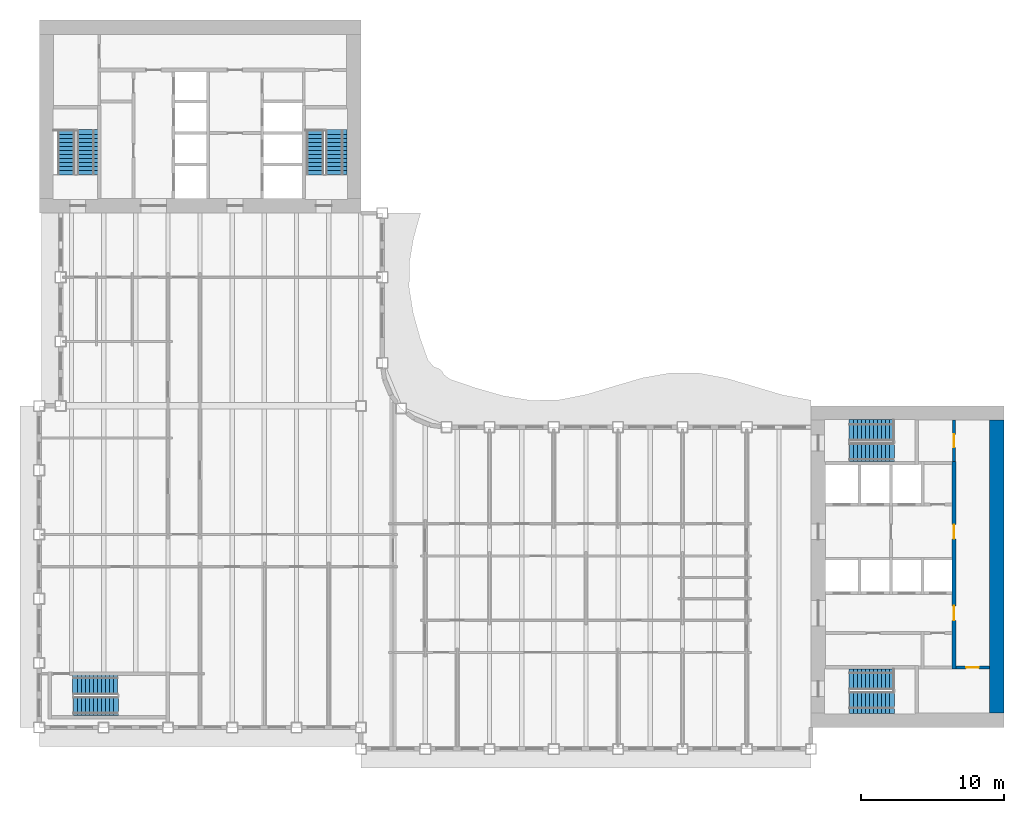
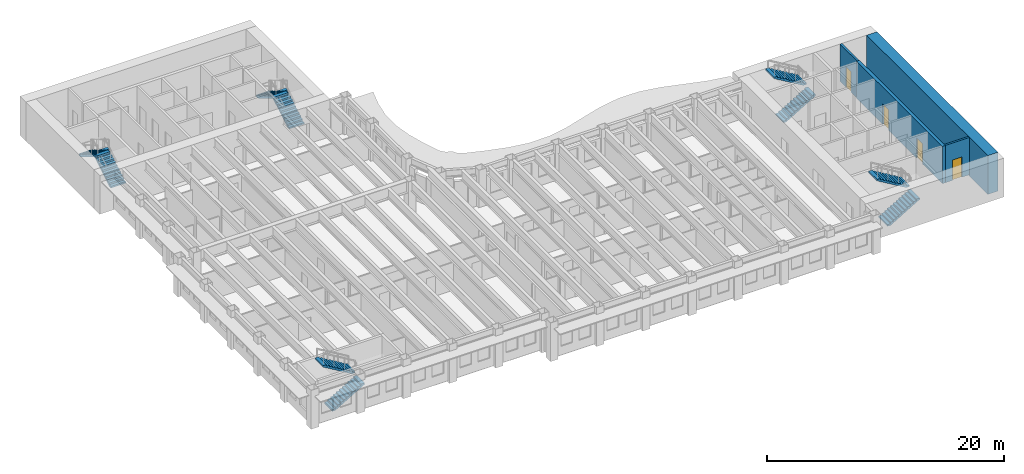
# One storey, part 10 of 16: 10 stair flights, 4 doors, 4 walls, 4 openings, 5 elements without a shape of their own.
"""IFC4 building model written with IfcOpenShell, lengths in metres."""

from ifc_helpers import new_model, si_unit, direction, frame, frame_2d, origin, place, context, subcontext, project, spatial, polyline, rectangle, outline, extrude, material, layer, layer_set, type_object, element, fill, aggregate, save


model = new_model("IFC4")

# Units and contexts
model_context = context("Model", 3, precision=1e-05, world=origin(), true_north=direction((0.0, 1.0)))
body_context = subcontext(model_context, "Body", "Model", "MODEL_VIEW")
ifc_project = project(units=[si_unit("LENGTHUNIT", "METRE"), si_unit("AREAUNIT", "SQUARE_METRE"), si_unit("VOLUMEUNIT", "CUBIC_METRE"), si_unit("PLANEANGLEUNIT", "RADIAN"), si_unit("MASSUNIT", "GRAM", prefix="KILO")], contexts=[model_context])

# Site, building, storey
site_placement = place(None, origin())
site = spatial("IfcSite", under=ifc_project, at=site_placement, CompositionType="ELEMENT")
building_placement = place(site_placement, origin())
building = spatial("IfcBuilding", under=site, at=building_placement, Name="Sennacour Bend Tower", CompositionType="ELEMENT")
storey_placement = place(building_placement, frame((0.0, 0.0, 235.0)))
storey = spatial("IfcBuildingStorey", under=building, at=storey_placement, Name="L54", CompositionType="ELEMENT", Elevation=235.0)

# Wall
ifc_material_1 = material(Name="Concrete C60/75", Category="concrete")
ifc_layer_1 = layer(ifc_material_1, 1.0, Name="Concrete C60/75", Category="concrete")
ifc_layer_set_1 = layer_set([ifc_layer_1], Name="Concrete C60/75")
wall_type_1 = type_object("IfcWallType", Name="Core wall 1000 C60/75", PredefinedType="SHEAR", material=ifc_layer_set_1)
wall_1_placement = place(storey_placement, frame((67.0, 1.0, -0.14990234375), z_axis=(0.0, 0.0, 1.0), x_axis=(0.0, 1.0, 0.0)))
element("IfcWall", 1, at=wall_1_placement, inside=storey, type_object=wall_type_1, Name="Core A wall L54 E", PredefinedType="SHEAR", context=body_context, shape_type="SweptSolid", body=[
    extrude(rectangle(XDim=20.5, YDim=1.0, at=frame_2d((10.25, 0.0))), origin(), (0.0, 0.0, 1.0), 4.0),
])

# Wall, opening, door
ifc_material_2 = material(Name="Fire-rated plasterboard partition on steel studs", Category="steel")
ifc_layer_2 = layer(ifc_material_2, 0.199951171875, Name="Fire-rated plasterboard partition on steel studs", Category="steel")
ifc_layer_set_2 = layer_set([ifc_layer_2], Name="Fire-rated plasterboard partition on steel studs")
wall_type_2 = type_object("IfcWallType", Name="Rated partition 200", PredefinedType="PARTITIONING", material=ifc_layer_set_2)
wall_2_placement = place(storey_placement, frame((64.0, 18.60009765625, 0.0), z_axis=(0.0, 0.0, 1.0), x_axis=(0.0, 1.0, 0.0)))
wall_2 = element("IfcWall", 2, at=wall_2_placement, inside=storey, type_object=wall_type_2, Name="P-L54-W048", PredefinedType="PARTITIONING", context=body_context, shape_type="SweptSolid", body=[
    extrude(rectangle(XDim=2.89990234375, YDim=0.199951171875, at=frame_2d((1.449951171875, 0.0))), origin(), (0.0, 0.0, 1.0), 3.85009765625),
])
opening_1_placement = place(wall_2_placement, frame((1.0, 0.0, 0.0)))
opening_1 = element("IfcOpeningElement", 3, at=opening_1_placement, cuts=wall_2, Name="Opening SV", PredefinedType="OPENING", context=body_context, shape_type="SweptSolid", body=[
    extrude(rectangle(XDim=0.89990234375, YDim=2.10009765625, at=frame_2d((0.449951171875, 1.050048828125))), frame((0.0, 0.10986328125, 0.0), z_axis=(0.0, -1.0, 0.0), x_axis=(1.0, 0.0, 0.0)), (0.0, 0.0, 1.0), 0.219970703125),
])
ifc_material_3 = material(Name="Painted steel", Category="steel")
door_type_1 = type_object("IfcDoorType", Name="DR-SERVICE-900", OperationType="NOTDEFINED", PredefinedType="DOOR", material=ifc_material_3)
door_1_placement = place(opening_1_placement, origin())
door_1 = element("IfcDoor", 4, at=door_1_placement, inside=storey, type_object=door_type_1, Name="Door", OperationType="SINGLE_SWING_LEFT", OverallHeight=2.10009765625, OverallWidth=0.89990234375, PredefinedType="DOOR", context=body_context, shape_type="SweptSolid", body=[
    extrude(rectangle(XDim=0.89990234375, YDim=2.10009765625, at=frame_2d((0.449951171875, 1.050048828125))), frame((0.0, 0.02490234375, 0.0), z_axis=(0.0, -1.0, 0.0), x_axis=(1.0, 0.0, 0.0)), (0.0, 0.0, 1.0), 0.050048828125),
])
fill(opening_1, door_1)

wall_3_placement = place(storey_placement, frame((64.14990234375, 4.199951171875, 0.0), z_axis=(0.0, 0.0, 1.0), x_axis=(1.0, 0.0, 0.0)))
wall_3 = element("IfcWall", 5, at=wall_3_placement, inside=storey, type_object=wall_type_2, Name="P-L54-W055c", PredefinedType="PARTITIONING", context=body_context, shape_type="SweptSolid", body=[
    extrude(rectangle(XDim=2.35009765625, YDim=0.199951171875, at=frame_2d((1.175048828125, 0.0))), origin(), (0.0, 0.0, 1.0), 3.85009765625),
])
opening_2_placement = place(wall_3_placement, frame((0.7001953125, 0.0, 0.0)))
opening_2 = element("IfcOpeningElement", 6, at=opening_2_placement, cuts=wall_3, Name="Opening SV", PredefinedType="OPENING", context=body_context, shape_type="SweptSolid", body=[
    extrude(rectangle(XDim=0.89990234375, YDim=2.10009765625, at=frame_2d((0.449951171875, 1.050048828125))), frame((0.0, 0.10986328125, 0.0), z_axis=(0.0, -1.0, 0.0), x_axis=(1.0, 0.0, 0.0)), (0.0, 0.0, 1.0), 0.219970703125),
])
door_2_placement = place(opening_2_placement, origin())
door_2 = element("IfcDoor", 7, at=door_2_placement, inside=storey, type_object=door_type_1, Name="Door", OperationType="SINGLE_SWING_LEFT", OverallHeight=2.10009765625, OverallWidth=0.89990234375, PredefinedType="DOOR", context=body_context, shape_type="SweptSolid", body=[
    extrude(rectangle(XDim=0.89990234375, YDim=2.10009765625, at=frame_2d((0.449951171875, 1.050048828125))), frame((0.0, 0.02490234375, 0.0), z_axis=(0.0, -1.0, 0.0), x_axis=(1.0, 0.0, 0.0)), (0.0, 0.0, 1.0), 0.050048828125),
])
fill(opening_2, door_2)

# Wall, openings, doors
ifc_layer_3 = layer(ifc_material_1, 0.300048828125, Name="Concrete C60/75", Category="concrete")
ifc_layer_set_3 = layer_set([ifc_layer_3], Name="Concrete C60/75")
wall_type_3 = type_object("IfcWallType", Name="Spine wall 300", PredefinedType="SHEAR", material=ifc_layer_set_3)
wall_4_placement = place(storey_placement, frame((64.0, 4.10009765625, 0.0), z_axis=(0.0, 0.0, 1.0), x_axis=(0.0, 1.0, 0.0)))
wall_4 = element("IfcWall", 8, at=wall_4_placement, inside=storey, type_object=wall_type_3, Name="P-L54-W047", PredefinedType="SHEAR", context=body_context, shape_type="SweptSolid", body=[
    extrude(rectangle(XDim=14.5, YDim=0.300048828125, at=frame_2d((7.25, 0.0))), origin(), (0.0, 0.0, 1.0), 3.85009765625),
])
opening_3_placement = place(wall_4_placement, frame((3.39990234375, 0.0, 0.0)))
opening_3 = element("IfcOpeningElement", 9, at=opening_3_placement, cuts=wall_4, Name="Opening CD2", PredefinedType="OPENING", context=body_context, shape_type="SweptSolid", body=[
    extrude(rectangle(XDim=1.0, YDim=2.10009765625, at=frame_2d((0.5, 1.050048828125))), frame((0.0, 0.16015625, 0.0), z_axis=(0.0, -1.0, 0.0), x_axis=(1.0, 0.0, 0.0)), (0.0, 0.0, 1.0), 0.320068359375),
])
opening_4_placement = place(wall_4_placement, frame((9.099853515625, 0.0, 0.0)))
opening_4 = element("IfcOpeningElement", 10, at=opening_4_placement, cuts=wall_4, Name="Opening CD2", PredefinedType="OPENING", context=body_context, shape_type="SweptSolid", body=[
    extrude(rectangle(XDim=1.0, YDim=2.10009765625, at=frame_2d((0.5, 1.050048828125))), frame((0.0, 0.16015625, 0.0), z_axis=(0.0, -1.0, 0.0), x_axis=(1.0, 0.0, 0.0)), (0.0, 0.0, 1.0), 0.320068359375),
])
door_type_2 = type_object("IfcDoorType", Name="DR-LOBBY-1000", OperationType="NOTDEFINED", PredefinedType="DOOR", material=ifc_material_3)
door_3_placement = place(opening_3_placement, origin())
door_3 = element("IfcDoor", 11, at=door_3_placement, inside=storey, type_object=door_type_2, Name="Door", OperationType="SINGLE_SWING_LEFT", OverallHeight=2.10009765625, OverallWidth=1.0, PredefinedType="DOOR", context=body_context, shape_type="SweptSolid", body=[
    extrude(rectangle(XDim=1.0, YDim=2.10009765625, at=frame_2d((0.5, 1.050048828125))), frame((0.0, 0.02490234375, 0.0), z_axis=(0.0, -1.0, 0.0), x_axis=(1.0, 0.0, 0.0)), (0.0, 0.0, 1.0), 0.050048828125),
])
fill(opening_3, door_3)
door_4_placement = place(opening_4_placement, origin())
door_4 = element("IfcDoor", 12, at=door_4_placement, inside=storey, type_object=door_type_2, Name="Door", OperationType="SINGLE_SWING_RIGHT", OverallHeight=2.10009765625, OverallWidth=1.0, PredefinedType="DOOR", context=body_context, shape_type="SweptSolid", body=[
    extrude(rectangle(XDim=1.0, YDim=2.10009765625, at=frame_2d((0.5, 1.050048828125))), frame((0.0, 0.02490234375, 0.0), z_axis=(0.0, -1.0, 0.0), x_axis=(1.0, 0.0, 0.0)), (0.0, 0.0, 1.0), 0.050048828125),
])
fill(opening_4, door_4)

# Stair, stair flights
ifc_material_4 = material(Name="Concrete C40/50", Category="concrete")
stair_type = type_object("IfcStairType", Name="ST-DOGLEG", PredefinedType="HALF_TURN_STAIR", material=ifc_material_4)
stair_1_placement = place(storey_placement, origin())
stair_1 = element("IfcStair", 13, at=stair_1_placement, inside=storey, type_object=stair_type, Name="L54 Exit stair A1", PredefinedType="HALF_TURN_STAIR")
stair_flight_type = type_object("IfcStairFlightType", Name="SFL-RC", PredefinedType="STRAIGHT", material=ifc_material_4)
stair_flight_1_placement = place(storey_placement, frame((56.699951171875, 1.735107421875, 0.0), z_axis=(0.0, 0.0, 1.0), x_axis=(1.0, 0.0, 0.0)))
stair_flight_1 = element("IfcStairFlight", 14, at=stair_flight_1_placement, type_object=stair_flight_type, Name="SA1 flight 1", NumberOfRisers=12, NumberOfTreads=11, PredefinedType="STRAIGHT", RiserHeight=0.166666667, TreadLength=0.28, context=body_context, shape_type="SweptSolid", body=[
    extrude(outline(polyline([(0.0, 0.0), (0.0, 0.166748046875), (0.280029296875, 0.166748046875), (0.280029296875, 0.333251953125), (0.56005859375, 0.333251953125), (0.56005859375, 0.5), (0.840087890625, 0.5), (0.840087890625, 0.666748046875), (1.1201171875, 0.666748046875), (1.1201171875, 0.833251953125), (1.39990234375, 0.833251953125), (1.39990234375, 1.0), (1.679931640625, 1.0), (1.679931640625, 1.166748046875), (1.9599609375, 1.166748046875), (1.9599609375, 1.333251953125), (2.239990234375, 1.333251953125), (2.239990234375, 1.5), (2.52001953125, 1.5), (2.52001953125, 1.666748046875), (2.800048828125, 1.666748046875), (2.800048828125, 1.833251953125), (3.080078125, 1.833251953125), (3.139892578125, 1.833251953125), (3.139892578125, 1.658935546875), (3.080078125, 1.658935546875), (0.29296875, 0.0), (0.0, 0.0)])), frame((0.0, 0.76513671875, 0.0), z_axis=(0.0, -1.0, 0.0), x_axis=(1.0, 0.0, 0.0)), (0.0, 0.0, 1.0), 1.530029296875),
])
stair_flight_2_placement = place(storey_placement, frame((59.780029296875, 3.37744140625, 2.0), z_axis=(0.0, 0.0, 1.0), x_axis=(-1.0, 0.0, 0.0)))
stair_flight_2 = element("IfcStairFlight", 15, at=stair_flight_2_placement, type_object=stair_flight_type, Name="SA1 flight 2", NumberOfRisers=12, NumberOfTreads=11, PredefinedType="STRAIGHT", RiserHeight=0.166666667, TreadLength=0.28, context=body_context, shape_type="SweptSolid", body=[
    extrude(outline(polyline([(0.0, 0.0), (0.0, 0.166748046875), (0.280029296875, 0.166748046875), (0.280029296875, 0.333251953125), (0.56005859375, 0.333251953125), (0.56005859375, 0.5), (0.840087890625, 0.5), (0.840087890625, 0.666748046875), (1.1201171875, 0.666748046875), (1.1201171875, 0.833251953125), (1.39990234375, 0.833251953125), (1.39990234375, 1.0), (1.679931640625, 1.0), (1.679931640625, 1.166748046875), (1.9599609375, 1.166748046875), (1.9599609375, 1.333251953125), (2.239990234375, 1.333251953125), (2.239990234375, 1.5), (2.52001953125, 1.5), (2.52001953125, 1.666748046875), (2.800048828125, 1.666748046875), (2.800048828125, 1.833251953125), (3.080078125, 1.833251953125), (3.139892578125, 1.833251953125), (3.139892578125, 1.658935546875), (3.080078125, 1.658935546875), (0.29296875, 0.0), (0.0, 0.0)])), frame((0.0, 0.7275390625, 0.0), z_axis=(0.0, -1.0, 0.0), x_axis=(1.0, 0.0, 0.0)), (0.0, 0.0, 1.0), 1.455078125),
])
aggregate(stair_1, [stair_flight_1, stair_flight_2])

stair_2_placement = place(storey_placement, origin())
stair_2 = element("IfcStair", 16, at=stair_2_placement, inside=storey, type_object=stair_type, Name="L54 Exit stair A2", PredefinedType="HALF_TURN_STAIR")
stair_flight_3_placement = place(storey_placement, frame((56.699951171875, 19.24755859375, 0.0), z_axis=(0.0, 0.0, 1.0), x_axis=(1.0, 0.0, 0.0)))
stair_flight_3 = element("IfcStairFlight", 17, at=stair_flight_3_placement, type_object=stair_flight_type, Name="SA2 flight 1", NumberOfRisers=12, NumberOfTreads=11, PredefinedType="STRAIGHT", RiserHeight=0.166666667, TreadLength=0.28, context=body_context, shape_type="SweptSolid", body=[
    extrude(outline(polyline([(0.0, 0.0), (0.0, 0.166748046875), (0.280029296875, 0.166748046875), (0.280029296875, 0.333251953125), (0.56005859375, 0.333251953125), (0.56005859375, 0.5), (0.840087890625, 0.5), (0.840087890625, 0.666748046875), (1.1201171875, 0.666748046875), (1.1201171875, 0.833251953125), (1.39990234375, 0.833251953125), (1.39990234375, 1.0), (1.679931640625, 1.0), (1.679931640625, 1.166748046875), (1.9599609375, 1.166748046875), (1.9599609375, 1.333251953125), (2.239990234375, 1.333251953125), (2.239990234375, 1.5), (2.52001953125, 1.5), (2.52001953125, 1.666748046875), (2.800048828125, 1.666748046875), (2.800048828125, 1.833251953125), (3.080078125, 1.833251953125), (3.139892578125, 1.833251953125), (3.139892578125, 1.658935546875), (3.080078125, 1.658935546875), (0.29296875, 0.0), (0.0, 0.0)])), frame((0.0, 0.65234375, 0.0), z_axis=(0.0, -1.0, 0.0), x_axis=(1.0, 0.0, 0.0)), (0.0, 0.0, 1.0), 1.304931640625),
])
stair_flight_4_placement = place(storey_placement, frame((59.780029296875, 20.7900390625, 2.0), z_axis=(0.0, 0.0, 1.0), x_axis=(-1.0, 0.0, 0.0)))
stair_flight_4 = element("IfcStairFlight", 18, at=stair_flight_4_placement, type_object=stair_flight_type, Name="SA2 flight 2", NumberOfRisers=12, NumberOfTreads=11, PredefinedType="STRAIGHT", RiserHeight=0.166666667, TreadLength=0.28, context=body_context, shape_type="SweptSolid", body=[
    extrude(outline(polyline([(0.0, 0.0), (0.0, 0.166748046875), (0.280029296875, 0.166748046875), (0.280029296875, 0.333251953125), (0.56005859375, 0.333251953125), (0.56005859375, 0.5), (0.840087890625, 0.5), (0.840087890625, 0.666748046875), (1.1201171875, 0.666748046875), (1.1201171875, 0.833251953125), (1.39990234375, 0.833251953125), (1.39990234375, 1.0), (1.679931640625, 1.0), (1.679931640625, 1.166748046875), (1.9599609375, 1.166748046875), (1.9599609375, 1.333251953125), (2.239990234375, 1.333251953125), (2.239990234375, 1.5), (2.52001953125, 1.5), (2.52001953125, 1.666748046875), (2.800048828125, 1.666748046875), (2.800048828125, 1.833251953125), (3.080078125, 1.833251953125), (3.139892578125, 1.833251953125), (3.139892578125, 1.658935546875), (3.080078125, 1.658935546875), (0.29296875, 0.0), (0.0, 0.0)])), frame((0.0, 0.739990234375, 0.0), z_axis=(0.0, -1.0, 0.0), x_axis=(1.0, 0.0, 0.0)), (0.0, 0.0, 1.0), 1.47998046875),
])
aggregate(stair_2, [stair_flight_3, stair_flight_4])

stair_3_placement = place(storey_placement, origin())
stair_3 = element("IfcStair", 19, at=stair_3_placement, inside=storey, type_object=stair_type, Name="L54 Exit stair B1", PredefinedType="HALF_TURN_STAIR")
stair_flight_5_placement = place(storey_placement, frame((3.37744140625, 38.699951171875, 0.0), z_axis=(0.0, 0.0, 1.0), x_axis=(0.0, 1.0, 0.0)))
stair_flight_5 = element("IfcStairFlight", 20, at=stair_flight_5_placement, type_object=stair_flight_type, Name="SB1 flight 1", NumberOfRisers=12, NumberOfTreads=11, PredefinedType="STRAIGHT", RiserHeight=0.166666667, TreadLength=0.28, context=body_context, shape_type="SweptSolid", body=[
    extrude(outline(polyline([(0.0, 0.0), (0.0, 0.166748046875), (0.280029296875, 0.166748046875), (0.280029296875, 0.333251953125), (0.56005859375, 0.333251953125), (0.56005859375, 0.5), (0.840087890625, 0.5), (0.840087890625, 0.666748046875), (1.1201171875, 0.666748046875), (1.1201171875, 0.833251953125), (1.39990234375, 0.833251953125), (1.39990234375, 1.0), (1.679931640625, 1.0), (1.679931640625, 1.166748046875), (1.9599609375, 1.166748046875), (1.9599609375, 1.333251953125), (2.239990234375, 1.333251953125), (2.239990234375, 1.5), (2.52001953125, 1.5), (2.52001953125, 1.666748046875), (2.800048828125, 1.666748046875), (2.800048828125, 1.833251953125), (3.080078125, 1.833251953125), (3.139892578125, 1.833251953125), (3.139892578125, 1.658935546875), (3.080078125, 1.658935546875), (0.29296875, 0.0), (0.0, 0.0)])), frame((0.0, 0.7275390625, 0.0), z_axis=(0.0, -1.0, 0.0), x_axis=(1.0, 0.0, 0.0)), (0.0, 0.0, 1.0), 1.455078125),
])
stair_flight_6_placement = place(storey_placement, frame((1.89990234375, 41.780029296875, 2.0), z_axis=(0.0, 0.0, 1.0), x_axis=(0.0, -1.0, 0.0)))
stair_flight_6 = element("IfcStairFlight", 21, at=stair_flight_6_placement, type_object=stair_flight_type, Name="SB1 flight 2", NumberOfRisers=12, NumberOfTreads=11, PredefinedType="STRAIGHT", RiserHeight=0.166666667, TreadLength=0.28, context=body_context, shape_type="SweptSolid", body=[
    extrude(outline(polyline([(0.0, 0.0), (0.0, 0.166748046875), (0.280029296875, 0.166748046875), (0.280029296875, 0.333251953125), (0.56005859375, 0.333251953125), (0.56005859375, 0.5), (0.840087890625, 0.5), (0.840087890625, 0.666748046875), (1.1201171875, 0.666748046875), (1.1201171875, 0.833251953125), (1.39990234375, 0.833251953125), (1.39990234375, 1.0), (1.679931640625, 1.0), (1.679931640625, 1.166748046875), (1.9599609375, 1.166748046875), (1.9599609375, 1.333251953125), (2.239990234375, 1.333251953125), (2.239990234375, 1.5), (2.52001953125, 1.5), (2.52001953125, 1.666748046875), (2.800048828125, 1.666748046875), (2.800048828125, 1.833251953125), (3.080078125, 1.833251953125), (3.139892578125, 1.833251953125), (3.139892578125, 1.658935546875), (3.080078125, 1.658935546875), (0.29296875, 0.0), (0.0, 0.0)])), frame((0.0, 0.60009765625, 0.0), z_axis=(0.0, -1.0, 0.0), x_axis=(1.0, 0.0, 0.0)), (0.0, 0.0, 1.0), 1.199951171875),
])
aggregate(stair_3, [stair_flight_5, stair_flight_6])

stair_4_placement = place(storey_placement, origin())
stair_4 = element("IfcStair", 22, at=stair_4_placement, inside=storey, type_object=stair_type, Name="L54 Exit stair B2", PredefinedType="HALF_TURN_STAIR")
stair_flight_7_placement = place(storey_placement, frame((20.7900390625, 38.699951171875, 0.0), z_axis=(0.0, 0.0, 1.0), x_axis=(0.0, 1.0, 0.0)))
stair_flight_7 = element("IfcStairFlight", 23, at=stair_flight_7_placement, type_object=stair_flight_type, Name="SB2 flight 1", NumberOfRisers=12, NumberOfTreads=11, PredefinedType="STRAIGHT", RiserHeight=0.166666667, TreadLength=0.28, context=body_context, shape_type="SweptSolid", body=[
    extrude(outline(polyline([(0.0, 0.0), (0.0, 0.166748046875), (0.280029296875, 0.166748046875), (0.280029296875, 0.333251953125), (0.56005859375, 0.333251953125), (0.56005859375, 0.5), (0.840087890625, 0.5), (0.840087890625, 0.666748046875), (1.1201171875, 0.666748046875), (1.1201171875, 0.833251953125), (1.39990234375, 0.833251953125), (1.39990234375, 1.0), (1.679931640625, 1.0), (1.679931640625, 1.166748046875), (1.9599609375, 1.166748046875), (1.9599609375, 1.333251953125), (2.239990234375, 1.333251953125), (2.239990234375, 1.5), (2.52001953125, 1.5), (2.52001953125, 1.666748046875), (2.800048828125, 1.666748046875), (2.800048828125, 1.833251953125), (3.080078125, 1.833251953125), (3.139892578125, 1.833251953125), (3.139892578125, 1.658935546875), (3.080078125, 1.658935546875), (0.29296875, 0.0), (0.0, 0.0)])), frame((0.0, 0.739990234375, 0.0), z_axis=(0.0, -1.0, 0.0), x_axis=(1.0, 0.0, 0.0)), (0.0, 0.0, 1.0), 1.47998046875),
])
stair_flight_8_placement = place(storey_placement, frame((19.24755859375, 41.780029296875, 2.0), z_axis=(0.0, 0.0, 1.0), x_axis=(0.0, -1.0, 0.0)))
stair_flight_8 = element("IfcStairFlight", 24, at=stair_flight_8_placement, type_object=stair_flight_type, Name="SB2 flight 2", NumberOfRisers=12, NumberOfTreads=11, PredefinedType="STRAIGHT", RiserHeight=0.166666667, TreadLength=0.28, context=body_context, shape_type="SweptSolid", body=[
    extrude(outline(polyline([(0.0, 0.0), (0.0, 0.166748046875), (0.280029296875, 0.166748046875), (0.280029296875, 0.333251953125), (0.56005859375, 0.333251953125), (0.56005859375, 0.5), (0.840087890625, 0.5), (0.840087890625, 0.666748046875), (1.1201171875, 0.666748046875), (1.1201171875, 0.833251953125), (1.39990234375, 0.833251953125), (1.39990234375, 1.0), (1.679931640625, 1.0), (1.679931640625, 1.166748046875), (1.9599609375, 1.166748046875), (1.9599609375, 1.333251953125), (2.239990234375, 1.333251953125), (2.239990234375, 1.5), (2.52001953125, 1.5), (2.52001953125, 1.666748046875), (2.800048828125, 1.666748046875), (2.800048828125, 1.833251953125), (3.080078125, 1.833251953125), (3.139892578125, 1.833251953125), (3.139892578125, 1.658935546875), (3.080078125, 1.658935546875), (0.29296875, 0.0), (0.0, 0.0)])), frame((0.0, 0.65234375, 0.0), z_axis=(0.0, -1.0, 0.0), x_axis=(1.0, 0.0, 0.0)), (0.0, 0.0, 1.0), 1.304931640625),
])
aggregate(stair_4, [stair_flight_7, stair_flight_8])

stair_5_placement = place(storey_placement, origin())
stair_5 = element("IfcStair", 25, at=stair_5_placement, inside=storey, type_object=stair_type, Name="L54 Exit stair K1", PredefinedType="HALF_TURN_STAIR")
stair_flight_9_placement = place(storey_placement, frame((2.39990234375, 1.485107421875, 0.0), z_axis=(0.0, 0.0, 1.0), x_axis=(1.0, 0.0, 0.0)))
stair_flight_9 = element("IfcStairFlight", 26, at=stair_flight_9_placement, type_object=stair_flight_type, Name="SK1 flight 1", NumberOfRisers=12, NumberOfTreads=11, PredefinedType="STRAIGHT", RiserHeight=0.166666667, TreadLength=0.28, context=body_context, shape_type="SweptSolid", body=[
    extrude(outline(polyline([(0.0, 0.0), (0.0, 0.166748046875), (0.280029296875, 0.166748046875), (0.280029296875, 0.333251953125), (0.56005859375, 0.333251953125), (0.56005859375, 0.5), (0.840087890625, 0.5), (0.840087890625, 0.666748046875), (1.1201171875, 0.666748046875), (1.1201171875, 0.833251953125), (1.39990234375, 0.833251953125), (1.39990234375, 1.0), (1.679931640625, 1.0), (1.679931640625, 1.166748046875), (1.9599609375, 1.166748046875), (1.9599609375, 1.333251953125), (2.239990234375, 1.333251953125), (2.239990234375, 1.5), (2.52001953125, 1.5), (2.52001953125, 1.666748046875), (2.800048828125, 1.666748046875), (2.800048828125, 1.833251953125), (3.080078125, 1.833251953125), (3.139892578125, 1.833251953125), (3.139892578125, 1.658935546875), (3.080078125, 1.658935546875), (0.29296875, 0.0), (0.0, 0.0)])), frame((0.0, 0.6650390625, 0.0), z_axis=(0.0, -1.0, 0.0), x_axis=(1.0, 0.0, 0.0)), (0.0, 0.0, 1.0), 1.330078125),
])
stair_flight_10_placement = place(storey_placement, frame((5.47998046875, 2.9775390625, 2.0), z_axis=(0.0, 0.0, 1.0), x_axis=(-1.0, 0.0, 0.0)))
stair_flight_10 = element("IfcStairFlight", 27, at=stair_flight_10_placement, type_object=stair_flight_type, Name="SK1 flight 2", NumberOfRisers=12, NumberOfTreads=11, PredefinedType="STRAIGHT", RiserHeight=0.166666667, TreadLength=0.28, context=body_context, shape_type="SweptSolid", body=[
    extrude(outline(polyline([(0.0, 0.0), (0.0, 0.166748046875), (0.280029296875, 0.166748046875), (0.280029296875, 0.333251953125), (0.56005859375, 0.333251953125), (0.56005859375, 0.5), (0.840087890625, 0.5), (0.840087890625, 0.666748046875), (1.1201171875, 0.666748046875), (1.1201171875, 0.833251953125), (1.39990234375, 0.833251953125), (1.39990234375, 1.0), (1.679931640625, 1.0), (1.679931640625, 1.166748046875), (1.9599609375, 1.166748046875), (1.9599609375, 1.333251953125), (2.239990234375, 1.333251953125), (2.239990234375, 1.5), (2.52001953125, 1.5), (2.52001953125, 1.666748046875), (2.800048828125, 1.666748046875), (2.800048828125, 1.833251953125), (3.080078125, 1.833251953125), (3.139892578125, 1.833251953125), (3.139892578125, 1.658935546875), (3.080078125, 1.658935546875), (0.29296875, 0.0), (0.0, 0.0)])), frame((0.0, 0.677490234375, 0.0), z_axis=(0.0, -1.0, 0.0), x_axis=(1.0, 0.0, 0.0)), (0.0, 0.0, 1.0), 1.35498046875),
])
aggregate(stair_5, [stair_flight_9, stair_flight_10])

save(model, "model.ifc")
